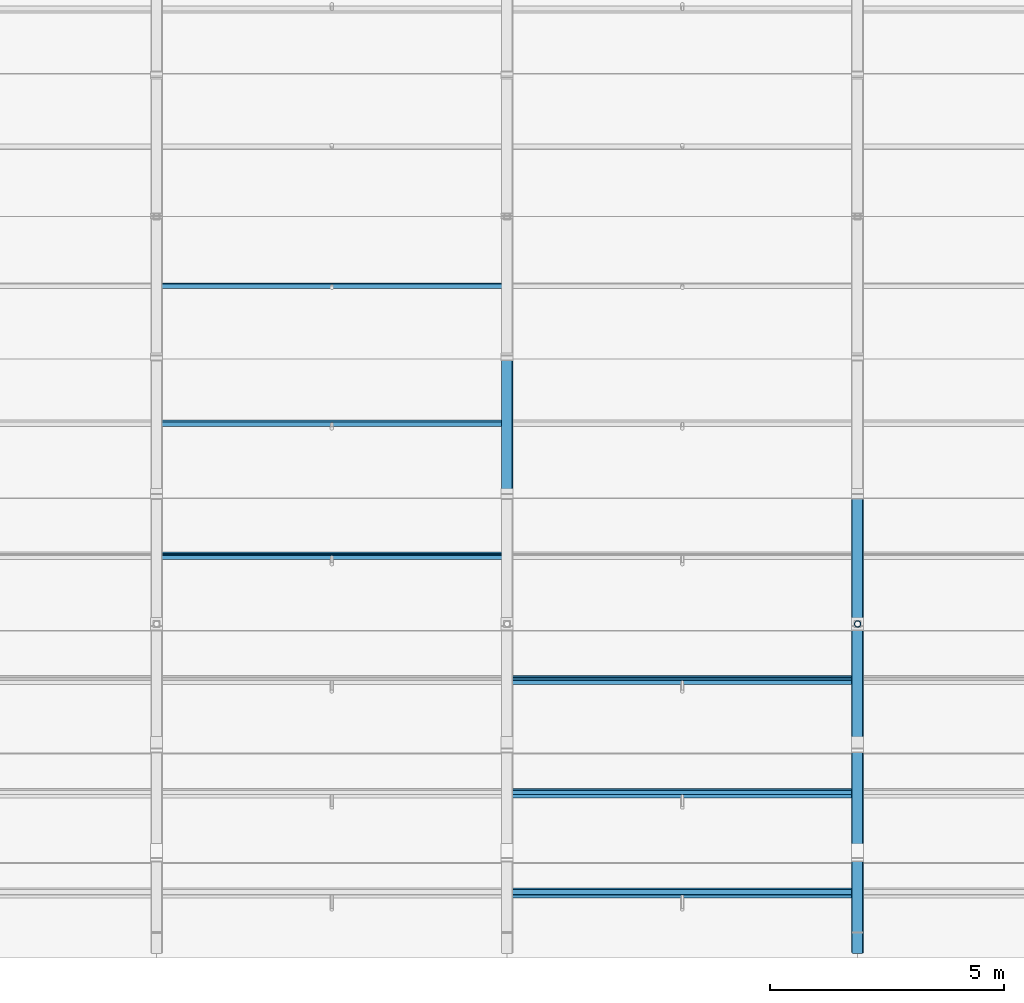
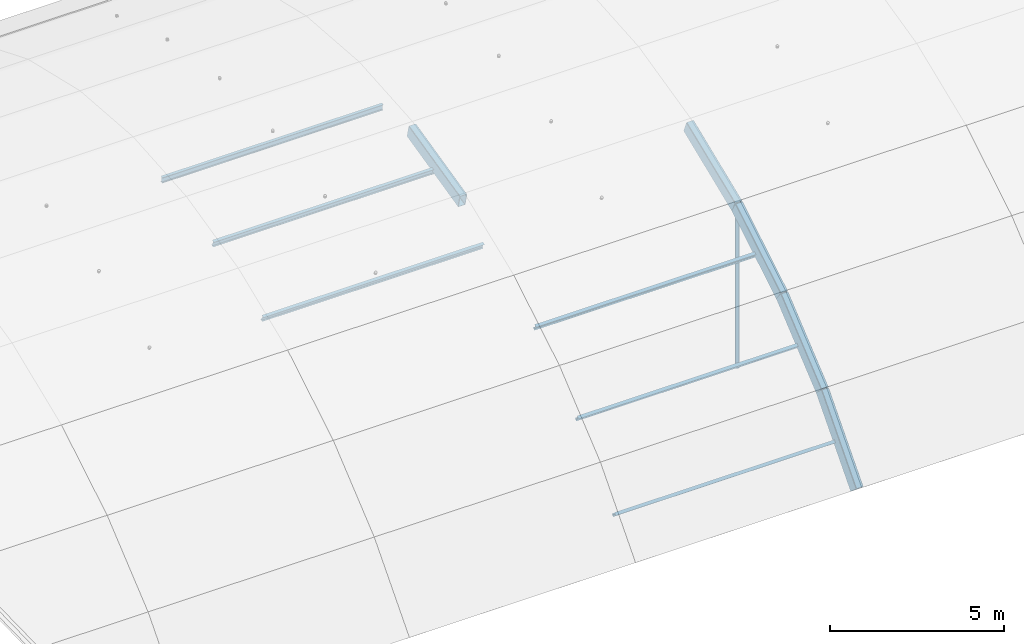
# One storey, part 10 of 77: 7 members, 5 beams.
"""IFC4 building model written with IfcOpenShell, lengths in metres."""

import ifcopenshell
import ifcopenshell.guid

model = None  # the IFC model being written
_history = None  # IfcOwnerHistory: only IFC2X3 demands one
_inside = {}  # id of a spatial element -> (the spatial element, [elements in it])
_under = {}  # id of a project, library or spatial element -> (it, [spatial elements below it])
_declared = {}  # id of a project -> (the project, [libraries it declares])
_typed = {}  # id of a type object -> (the type object, [elements of that type])
_made_of = {}  # id of a material, layer set ... -> (it, [elements and type objects made of it])


def new_model(schema):
    """Start an empty IFC model of exactly this schema.

    Asked for "IFC4X3", IfcOpenShell would pick the latest addendum, in which some entities
    have other attributes; the version numbers below select the first issue.
    IFC2X3 requires an IfcOwnerHistory on every rooted entity: one is made here for all.
    """
    global model, _history
    if schema == "IFC4X3":
        model = ifcopenshell.file(schema_version=(4, 3, 0, 0))
    else:
        model = ifcopenshell.file(schema=schema)
    _inside.clear()
    _under.clear()
    _declared.clear()
    _typed.clear()
    _made_of.clear()
    _history = None
    if model.schema == "IFC2X3":
        org = make("IfcOrganization", Name="unknown")
        user = make(
            "IfcPersonAndOrganization",
            ThePerson=make("IfcPerson", FamilyName="unknown"),
            TheOrganization=org,
        )
        app = make(
            "IfcApplication",
            ApplicationDeveloper=org,
            Version="unknown",
            ApplicationFullName="unknown",
            ApplicationIdentifier="unknown",
        )
        _history = make(
            "IfcOwnerHistory",
            OwningUser=user,
            OwningApplication=app,
            ChangeAction="ADDED",
            CreationDate=0,
        )
    return model


def make(cls, **values):
    """One entity of the class cls with the attributes given. An attribute that is None is left unset."""
    return model.create_entity(
        cls, **{name: value for name, value in values.items() if value is not None}
    )


def rooted(cls, **values):
    """An entity with a GlobalId (a new one), such as an element, a storey or a relation."""
    return make(cls, GlobalId=ifcopenshell.guid.new(), OwnerHistory=_history, **values)


def si_unit(unit_type, name, prefix=None):
    """IfcSIUnit, for example si_unit("LENGTHUNIT", "METRE", prefix="MILLI")."""
    return make("IfcSIUnit", UnitType=unit_type, Prefix=prefix, Name=name)


def assignment(units):
    """IfcUnitAssignment: the units of a project."""
    return None if units is None else make("IfcUnitAssignment", Units=units)


def point(xyz):
    """IfcCartesianPoint."""
    return None if xyz is None else make("IfcCartesianPoint", Coordinates=xyz)


def direction(xyz):
    """IfcDirection."""
    return None if xyz is None else make("IfcDirection", DirectionRatios=xyz)


def frame(location, z_axis=None, x_axis=None):
    """IfcAxis2Placement3D, a coordinate frame: its origin and axes. An axis left out is left unset."""
    return make(
        "IfcAxis2Placement3D",
        Location=point(location),
        Axis=direction(z_axis),
        RefDirection=direction(x_axis),
    )


def frame_2d(location, x_axis=None):
    """IfcAxis2Placement2D, a coordinate frame in the plane: its origin and x axis."""
    return make(
        "IfcAxis2Placement2D", Location=point(location), RefDirection=direction(x_axis)
    )


def origin():
    """The frame at (0, 0, 0) with its axes left unset."""
    return frame((0.0, 0.0, 0.0))


def origin_2d():
    """The frame at (0, 0) in the plane with its x axis left unset."""
    return frame_2d((0.0, 0.0))


def place(relative_to, where):
    """IfcLocalPlacement: puts the frame where relative to a parent placement (None: the world)."""
    return make(
        "IfcLocalPlacement", PlacementRelTo=relative_to, RelativePlacement=where
    )


def context(
    kind, dimensions, precision=None, world=None, true_north=None, identifier=None
):
    """IfcGeometricRepresentationContext, for example the 3D "Model" context."""
    return make(
        "IfcGeometricRepresentationContext",
        ContextIdentifier=identifier,
        ContextType=kind,
        CoordinateSpaceDimension=dimensions,
        Precision=precision,
        WorldCoordinateSystem=world,
        TrueNorth=true_north,
    )


def subcontext(parent, identifier, kind, view, scale=None):
    """IfcGeometricRepresentationSubContext, for example "Body" below "Model"."""
    return make(
        "IfcGeometricRepresentationSubContext",
        ContextIdentifier=identifier,
        ContextType=kind,
        ParentContext=parent,
        TargetScale=scale,
        TargetView=view,
    )


def project(units=None, contexts=None):
    """IfcProject with its units and contexts."""
    return rooted(
        "IfcProject",
        Name="project",
        RepresentationContexts=contexts,
        UnitsInContext=assignment(units),
    )


def spatial(cls, under=None, at=None, **own):
    """A site, building, storey or space (cls), placed at a placement, below another one or the project."""
    s = rooted(cls, ObjectPlacement=at, **own)
    if under is not None:
        _under.setdefault(under.id(), (under, []))[1].append(s)
    return s


def profile(cls, at=None, kind="AREA", **sizes):
    """A parametric profile (cls). Its sizes go by their IFC names, for example OverallWidth=200.0."""
    return make(cls, ProfileType=kind, Position=at, **sizes)


def hollow_rectangle(**sizes):
    """IfcRectangleHollowProfileDef."""
    return profile("IfcRectangleHollowProfileDef", **sizes)


def hollow_circle(**sizes):
    """IfcCircleHollowProfileDef."""
    return profile("IfcCircleHollowProfileDef", **sizes)


def i_section(**sizes):
    """IfcIShapeProfileDef."""
    return profile("IfcIShapeProfileDef", **sizes)


def extrude(swept, where, along, depth):
    """IfcExtrudedAreaSolid: the profile swept, set in the frame where, extruded along a direction by depth."""
    return make(
        "IfcExtrudedAreaSolid",
        SweptArea=swept,
        Position=where,
        ExtrudedDirection=direction(along),
        Depth=depth,
    )


def shape(context_of_items, identifier, shape_type, items):
    """IfcShapeRepresentation: the items that make up one representation, for example the "Body"."""
    return make(
        "IfcShapeRepresentation",
        ContextOfItems=context_of_items,
        RepresentationIdentifier=identifier,
        RepresentationType=shape_type,
        Items=items,
    )


def material(Name=None, Category=None):
    """IfcMaterial."""
    return make("IfcMaterial", Name=Name, Category=Category)


def material_profile(
    of_material, cross_section, Name=None, Category=None, Priority=None
):
    """IfcMaterialProfile: a cross section and its material."""
    return make(
        "IfcMaterialProfile",
        Name=Name,
        Material=of_material,
        Profile=cross_section,
        Priority=Priority,
        Category=Category,
    )


def profile_set(profiles, Name=None, composite=None):
    """IfcMaterialProfileSet."""
    return make(
        "IfcMaterialProfileSet",
        Name=Name,
        MaterialProfiles=profiles,
        CompositeProfile=composite,
    )


def made_of(thing, what):
    """Note that an element or type object is made of a material, layer set ...; save() writes the relation."""
    if what is not None:
        _made_of.setdefault(what.id(), (what, []))[1].append(thing)
    return thing


def type_object(cls, material=None, **own):
    """A type object (cls), such as IfcWallType, which elements share."""
    return made_of(rooted(cls, **own), material)


def element(
    cls,
    number,
    at=None,
    inside=None,
    cuts=None,
    type_object=None,
    material=None,
    context=None,
    identifier="Body",
    shape_type=None,
    held_by="IfcProductDefinitionShape",
    body=None,
    shapes=None,
    **own,
):
    """One element of the class cls, such as IfcWall. Its Tag is "e" and its number.

    at: its placement. inside: the storey or other place that contains it. cuts: it is an
    opening in that element (IfcRelVoidsElement). A single representation is given by context,
    identifier, shape_type and body (its items); several are given by shapes. held_by: the class
    of the entity that holds the representations. save() writes the other relations.
    """
    e = rooted(cls, Tag="e%d" % number, ObjectPlacement=at, **own)
    if body is not None:
        shapes = [shape(context, identifier, shape_type, body)]
    if shapes is not None:
        e.Representation = make(held_by, Representations=shapes)
    if inside is not None:
        _inside.setdefault(inside.id(), (inside, []))[1].append(e)
    if cuts is not None:
        rooted(
            "IfcRelVoidsElement", RelatingBuildingElement=cuts, RelatedOpeningElement=e
        )
    if type_object is not None:
        _typed.setdefault(type_object.id(), (type_object, []))[1].append(e)
    return made_of(e, material)


def aggregate(whole, parts):
    """IfcRelAggregates: a whole, such as a stair, and the parts it consists of."""
    return rooted("IfcRelAggregates", RelatingObject=whole, RelatedObjects=parts)


def save(model, path):
    """Write the relations noted so far, then the file.

    IfcRelAggregates (storeys below a building ...), IfcRelContainedInSpatialStructure (elements
    in a storey), IfcRelDefinesByType, IfcRelAssociatesMaterial and IfcRelDeclares: one each for
    every whole, place, type object, material and project.
    """
    for whole, parts in _under.values():
        aggregate(whole, parts)
    for where, things in _inside.values():
        rooted(
            "IfcRelContainedInSpatialStructure",
            RelatedElements=things,
            RelatingStructure=where,
        )
    for kind, things in _typed.values():
        rooted("IfcRelDefinesByType", RelatedObjects=things, RelatingType=kind)
    for what, things in _made_of.values():
        rooted("IfcRelAssociatesMaterial", RelatedObjects=things, RelatingMaterial=what)
    for by, libraries in _declared.values():
        rooted("IfcRelDeclares", RelatingContext=by, RelatedDefinitions=libraries)
    model.write(path)


model = new_model("IFC4")

# Units and contexts
model_context = context("Model", 3, precision=1e-05, world=origin(), true_north=direction((0.0, 1.0)))
body_context = subcontext(model_context, "Body", "Model", "MODEL_VIEW")
ifc_project = project(units=[si_unit("LENGTHUNIT", "METRE"), si_unit("AREAUNIT", "SQUARE_METRE"), si_unit("VOLUMEUNIT", "CUBIC_METRE"), si_unit("PLANEANGLEUNIT", "RADIAN"), si_unit("MASSUNIT", "GRAM", prefix="KILO")], contexts=[model_context])

# Site, building, storey
site_placement = place(None, origin())
site = spatial("IfcSite", under=ifc_project, at=site_placement, CompositionType="ELEMENT")
building_placement = place(site_placement, origin())
building = spatial("IfcBuilding", under=site, at=building_placement, Name="Yukiwa Park Conservatory and Herbarium", CompositionType="ELEMENT")
storey_placement = place(building_placement, frame((0.0, 0.0, 13.199951171875)))
storey = spatial("IfcBuildingStorey", under=building, at=storey_placement, Name="L03", CompositionType="ELEMENT", Elevation=13.199951171875)

# Beams
ifc_material_1 = material(Name="Steel Q355D", Category="steel")
ifc_material_profile_1 = material_profile(ifc_material_1, hollow_rectangle(XDim=0.25, YDim=0.449951171875, WallThickness=0.013916015625, InnerFilletRadius=0.013916015625, OuterFilletRadius=0.028076171875, at=origin_2d()), Name="RHS 450x250x14")
ifc_profile_set_1 = profile_set([ifc_material_profile_1], Name="Steel Q355D")
beam_type = type_object("IfcBeamType", Name="BM-VLT-ARCH450", PredefinedType="BEAM", material=ifc_profile_set_1)
for number, where, z_axis, x_axis, name in (
    (1, (22.5, 9.668212890625, 2.676025390625), (0.0, 0.973254208946, 0.22973080936), (-1.0, 0.0, 0.0), "Conservatory barrel vault arch rib 4 chord 5"),
    (2, (30.0, 0.0, -4.199951171875), (0.0, 0.659978721293, 0.751284292023), (-1.0, 0.0, 0.0), "Conservatory barrel vault arch rib 5 chord 1"),
):
    element("IfcBeam", number, at=place(storey_placement, frame(where, z_axis=z_axis, x_axis=x_axis)), inside=storey, type_object=beam_type, Name=name, PredefinedType="BEAM", context=body_context, shape_type="SweptSolid", body=[
        extrude(hollow_rectangle(XDim=0.25, YDim=0.449951171875, WallThickness=0.013916015625, InnerFilletRadius=0.013916015625, OuterFilletRadius=0.028076171875, at=origin_2d()), origin(), (0.0, 0.0, 1.0), 3.0107421875),
    ])
beam_placement = place(storey_placement, frame((30.0, 1.987060546875, -1.93798828125), z_axis=(0.0, 0.767749110539, 0.640750578047), x_axis=(-1.0, 0.0, 0.0)))
element("IfcBeam", 3, at=beam_placement, inside=storey, type_object=beam_type, Name="Conservatory barrel vault arch rib 5 chord 2", PredefinedType="BEAM", context=body_context, shape_type="SweptSolid", body=[
    extrude(hollow_rectangle(XDim=0.25, YDim=0.449951171875, WallThickness=0.013916015625, InnerFilletRadius=0.013916015625, OuterFilletRadius=0.028076171875, at=origin_2d()), origin(), (0.0, 0.0, 1.0), 3.010498046875),
])
for number, where, z_axis, x_axis, name in (
    (4, (30.0, 4.29833984375, -0.009033203125), (0.0, 0.857249569488, 0.514901131881), (-1.0, 0.0, 0.0), "Conservatory barrel vault arch rib 5 chord 3"),
    (5, (30.0, 6.87939453125, 1.541259765625), (0.0, 0.926257021224, 0.376892465609), (-1.0, 0.0, 0.0), "Conservatory barrel vault arch rib 5 chord 4"),
):
    element("IfcBeam", number, at=place(storey_placement, frame(where, z_axis=z_axis, x_axis=x_axis)), inside=storey, type_object=beam_type, Name=name, PredefinedType="BEAM", context=body_context, shape_type="SweptSolid", body=[
        extrude(hollow_rectangle(XDim=0.25, YDim=0.449951171875, WallThickness=0.013916015625, InnerFilletRadius=0.013916015625, OuterFilletRadius=0.028076171875, at=origin_2d()), origin(), (0.0, 0.0, 1.0), 3.0107421875),
    ])

# Members
ifc_material_2 = material(Name="Steel Q355D", Category="steel")
ifc_material_profile_2 = material_profile(ifc_material_2, i_section(OverallWidth=0.10009765625, OverallDepth=0.199951171875, WebThickness=0.005615234375, FlangeThickness=0.008056640625, FilletRadius=0.010986328125, at=origin_2d()), Name="HN 200x100x5.5x8")
ifc_profile_set_2 = profile_set([ifc_material_profile_2], Name="Steel Q355D")
member_type_1 = type_object("IfcMemberType", Name="MB-VLT-PURL200", PredefinedType="PURLIN", material=ifc_profile_set_2)
for number, where, z_axis, x_axis, name in (
    (6, (15.0849609375, 8.340087890625, 1.945556640625), (1.0, 0.0, 0.0), (0.0, 0.926282194237, 0.376830594086), "Conservatory vault longitudinal purlin 3.4"),
    (7, (15.0849609375, 11.173583984375, 2.850341796875), (1.0, 0.0, 0.0), (0.0, 0.973249092076, 0.22975248589), "Conservatory vault longitudinal purlin 3.5"),
    (8, (15.0849609375, 14.11279296875, 3.308349609375), (1.0, 0.0, 0.0), (0.0, 0.997015814894, 0.077197570239), "Conservatory vault longitudinal purlin 3.6"),
    (9, (22.5849609375, 1.125732421875, -3.18505859375), (1.0, 0.0, 0.0), (0.0, 0.659967575996, 0.751294082656), "Conservatory vault longitudinal purlin 4.1"),
    (10, (22.5849609375, 3.25537109375, -1.108642578125), (1.0, 0.0, 0.0), (0.0, 0.767751470285, 0.640747750582), "Conservatory vault longitudinal purlin 4.2"),
    (11, (22.5849609375, 5.679443359375, 0.615234375), (1.0, 0.0, 0.0), (0.0, 0.857233812968, 0.514927363717), "Conservatory vault longitudinal purlin 4.3"),
):
    element("IfcMember", number, at=place(storey_placement, frame(where, z_axis=z_axis, x_axis=x_axis)), inside=storey, type_object=member_type_1, Name=name, PredefinedType="PURLIN", context=body_context, shape_type="SweptSolid", body=[
        extrude(i_section(OverallWidth=0.10009765625, OverallDepth=0.199951171875, WebThickness=0.005615234375, FlangeThickness=0.008056640625, FilletRadius=0.010986328125, at=origin_2d()), origin(), (0.0, 0.0, 1.0), 7.330078125),
    ])
ifc_material_3 = material(Name="Steel Q355D", Category="steel")
ifc_material_profile_3 = material_profile(ifc_material_3, hollow_circle(Radius=0.06982421875, WallThickness=0.008056640625, at=origin_2d()), Name="CHS 139.7x8")
ifc_profile_set_3 = profile_set([ifc_material_profile_3], Name="Steel Q355D")
member_type_2 = type_object("IfcMemberType", Name="MB-VLT-STRUT140", PredefinedType="STRUT", material=ifc_profile_set_3)
member_placement = place(storey_placement, frame((30.0, 6.87939453125, -4.095947265625), z_axis=(0.0, 0.0, 1.0), x_axis=(1.0, 0.0, 0.0)))
element("IfcMember", 12, at=member_placement, inside=storey, type_object=member_type_2, Name="Conservatory vault bowstring hanger 5.3", PredefinedType="STRUT", context=body_context, shape_type="SweptSolid", body=[
    extrude(hollow_circle(Radius=0.06982421875, WallThickness=0.008056640625, at=origin_2d()), origin(), (0.0, 0.0, 1.0), 5.42236328125),
])

save(model, "model.ifc")
